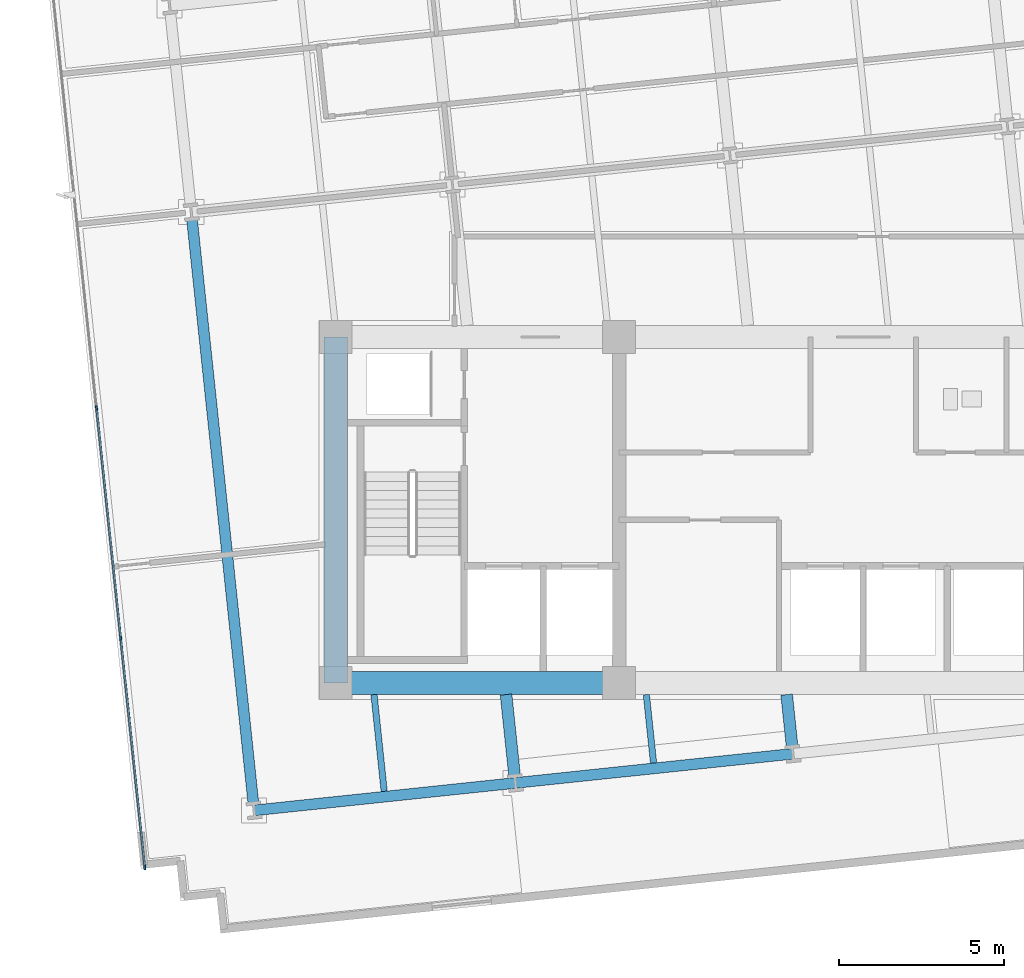
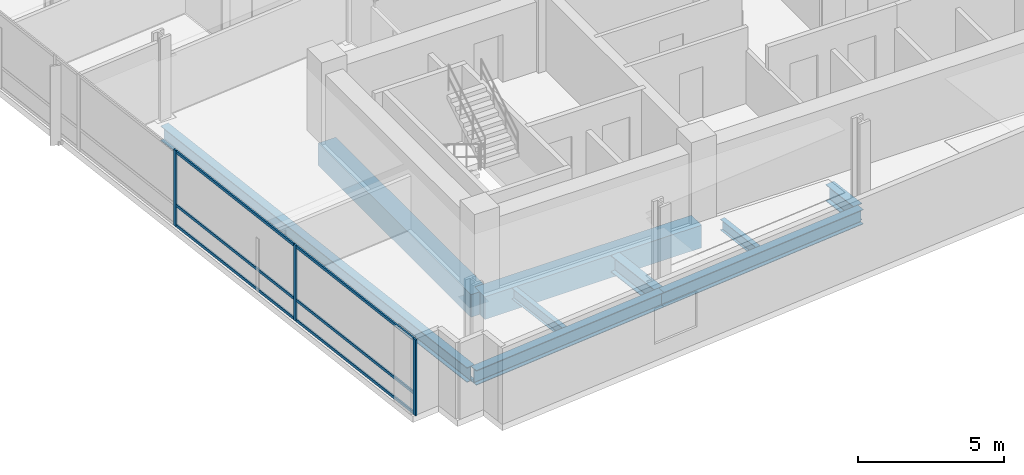
# One storey, part 2 of 21: 9 beams, 9 members, 1 element without a shape of its own.
"""IFC4 building model written with IfcOpenShell, lengths in metres."""

from ifc_helpers import new_model, si_unit, direction, frame, origin, origin_2d, place, context, subcontext, project, spatial, rectangle, i_section, extrude, material, material_profile, profile_set, type_object, element, aggregate, save


model = new_model("IFC4")

# Units and contexts
model_context = context("Model", 3, precision=1e-05, world=origin(), true_north=direction((0.0, 1.0)))
body_context = subcontext(model_context, "Body", "Model", "MODEL_VIEW")
ifc_project = project(units=[si_unit("LENGTHUNIT", "METRE"), si_unit("AREAUNIT", "SQUARE_METRE"), si_unit("VOLUMEUNIT", "CUBIC_METRE"), si_unit("PLANEANGLEUNIT", "RADIAN"), si_unit("MASSUNIT", "GRAM", prefix="KILO")], contexts=[model_context])

# Site, building, storey
site_placement = place(None, origin())
site = spatial("IfcSite", under=ifc_project, at=site_placement, CompositionType="ELEMENT")
building_placement = place(site_placement, origin())
building = spatial("IfcBuilding", under=site, at=building_placement, Name="Solmavex Isthmus Hotel", CompositionType="ELEMENT")
storey_placement = place(building_placement, frame((0.0, 0.0, 113.25)))
storey = spatial("IfcBuildingStorey", under=building, at=storey_placement, Name="L30", CompositionType="ELEMENT", Elevation=113.25)

# Beams
ifc_material_1 = material(Name="Steel ASTM A992 Grade 50", Category="steel")
ifc_material_profile_1 = material_profile(ifc_material_1, i_section(OverallWidth=0.354736328125, OverallDepth=0.695556640625, WebThickness=0.015380859375, FlangeThickness=0.02490234375, FilletRadius=0.017822265625, at=origin_2d()), Name="W27X146")
ifc_profile_set_1 = profile_set([ifc_material_profile_1], Name="Steel ASTM A992 Grade 50")
beam_type_1 = type_object("IfcBeamType", Name="BM-BG-W27X146", PredefinedType="BEAM", material=ifc_profile_set_1)
beam_1_placement = place(storey_placement, frame((-10.568115234375, -15.868896484375, -0.607666015625), z_axis=(-0.104589444628, 0.994515484079, 0.0), x_axis=(-0.994515484079, -0.104589444628, 0.0)))
element("IfcBeam", 1, at=beam_1_placement, inside=storey, type_object=beam_type_1, Name="Floor Beam L30-VG28", PredefinedType="BEAM", context=body_context, shape_type="SweptSolid", body=[
    extrude(i_section(OverallWidth=0.354736328125, OverallDepth=0.695556640625, WebThickness=0.015380859375, FlangeThickness=0.02490234375, FilletRadius=0.017822265625, at=origin_2d()), origin(), (0.0, 0.0, 1.0), 2.53271484375),
])
beam_2_placement = place(storey_placement, frame((-2.148681640625, -14.984130859375, -0.607666015625), z_axis=(-0.104460468373, 0.99452903957, 0.0), x_axis=(-0.99452903957, -0.104460468373, 0.0)))
element("IfcBeam", 2, at=beam_2_placement, inside=storey, type_object=beam_type_1, Name="Floor Beam L30-VG32", PredefinedType="BEAM", context=body_context, shape_type="SweptSolid", body=[
    extrude(i_section(OverallWidth=0.354736328125, OverallDepth=0.695556640625, WebThickness=0.015380859375, FlangeThickness=0.02490234375, FilletRadius=0.017822265625, at=origin_2d()), origin(), (0.0, 0.0, 1.0), 1.64306640625),
])
ifc_material_profile_2 = material_profile(ifc_material_1, i_section(OverallWidth=0.1904296875, OverallDepth=0.456787109375, WebThickness=0.009033203125, FlangeThickness=0.014404296875, FilletRadius=0.0126953125, at=origin_2d()), Name="W18X50")
ifc_profile_set_2 = profile_set([ifc_material_profile_2], Name="Steel ASTM A992 Grade 50")
beam_type_2 = type_object("IfcBeamType", Name="BM-BJ-W18X50", PredefinedType="JOIST", material=ifc_profile_set_2)
beam_3_placement = place(storey_placement, frame((-14.5302734375, -16.285400390625, -0.488525390625), z_axis=(-0.104555607512, 0.994519042019, 0.0), x_axis=(-0.994519042019, -0.104555607512, 0.0)))
element("IfcBeam", 3, at=beam_3_placement, inside=storey, type_object=beam_type_2, Name="Secondary Floor Joist L30-J01", PredefinedType="JOIST", context=body_context, shape_type="SweptSolid", body=[
    extrude(i_section(OverallWidth=0.1904296875, OverallDepth=0.456787109375, WebThickness=0.009033203125, FlangeThickness=0.014404296875, FilletRadius=0.0126953125, at=origin_2d()), origin(), (0.0, 0.0, 1.0), 2.951416015625),
])
beam_4_placement = place(storey_placement, frame((-6.3583984375, -15.426513671875, -0.488525390625), z_axis=(-0.104538696399, 0.99452081977, 0.0), x_axis=(-0.99452081977, -0.104538696399, 0.0)))
element("IfcBeam", 4, at=beam_4_placement, inside=storey, type_object=beam_type_2, Name="Secondary Floor Joist L30-J05", PredefinedType="JOIST", context=body_context, shape_type="SweptSolid", body=[
    extrude(i_section(OverallWidth=0.1904296875, OverallDepth=0.456787109375, WebThickness=0.009033203125, FlangeThickness=0.014404296875, FilletRadius=0.0126953125, at=origin_2d()), origin(), (0.0, 0.0, 1.0), 2.087890625),
])
ifc_material_2 = material(Name="Concrete C60/75", Category="concrete")
ifc_material_profile_3 = material_profile(ifc_material_2, rectangle(XDim=0.699951171875, YDim=0.949951171875, at=origin_2d()), Name="RC700X950")
ifc_profile_set_3 = profile_set([ifc_material_profile_3], Name="Concrete C60/75")
beam_type_3 = type_object("IfcBeamType", Name="BM-CB-700X950", PredefinedType="BEAM", material=ifc_profile_set_3)
beam_5_placement = place(storey_placement, frame((-16.0, -13.0, -0.735107421875), z_axis=(1.0, 0.0, 0.0), x_axis=(0.0, 1.0, 0.0)))
element("IfcBeam", 5, at=beam_5_placement, inside=storey, type_object=beam_type_3, Name="Core Coupling Beam L30-CB1", PredefinedType="BEAM", context=body_context, shape_type="SweptSolid", body=[
    extrude(rectangle(XDim=0.699951171875, YDim=0.949951171875, at=origin_2d()), origin(), (0.0, 0.0, 1.0), 8.60009765625),
])
beam_6_placement = place(storey_placement, frame((-16.0, -13.0, -0.735107421875), z_axis=(0.0, 1.0, 0.0), x_axis=(-1.0, 0.0, 0.0)))
element("IfcBeam", 6, at=beam_6_placement, inside=storey, type_object=beam_type_3, Name="Core Coupling Beam L30-CB7", PredefinedType="BEAM", context=body_context, shape_type="SweptSolid", body=[
    extrude(rectangle(XDim=0.699951171875, YDim=0.949951171875, at=origin_2d()), origin(), (0.0, 0.0, 1.0), 10.5),
])
ifc_material_profile_4 = material_profile(ifc_material_1, i_section(OverallWidth=0.326416015625, OverallDepth=0.621826171875, WebThickness=0.015380859375, FlangeThickness=0.0244140625, FilletRadius=0.01513671875, at=origin_2d()), Name="W24X131")
ifc_profile_set_4 = profile_set([ifc_material_profile_4], Name="Steel ASTM A992 Grade 50")
beam_type_4 = type_object("IfcBeamType", Name="BM-SP-W24X131", PredefinedType="SPANDREL", material=ifc_profile_set_4)
beam_7_placement = place(storey_placement, frame((-18.475341796875, -16.8642578125, -0.57080078125), z_axis=(0.994523402738, 0.104514120609, 0.0), x_axis=(-0.104514120609, 0.994523402738, 0.0)))
element("IfcBeam", 7, at=beam_7_placement, inside=storey, type_object=beam_type_4, Name="Floor Girder L30-UG01", PredefinedType="SPANDREL", context=body_context, shape_type="SweptSolid", body=[
    extrude(i_section(OverallWidth=0.326416015625, OverallDepth=0.621826171875, WebThickness=0.015380859375, FlangeThickness=0.0244140625, FilletRadius=0.01513671875, at=origin_2d()), origin(), (0.0, 0.0, 1.0), 7.968017578125),
])
beam_8_placement = place(storey_placement, frame((-10.551025390625, -16.031494140625, -0.57080078125), z_axis=(0.994520770064, 0.104539169271, 0.0), x_axis=(-0.104539169271, 0.994520770064, 0.0)))
element("IfcBeam", 8, at=beam_8_placement, inside=storey, type_object=beam_type_4, Name="Floor Girder L30-UG02", PredefinedType="SPANDREL", context=body_context, shape_type="SweptSolid", body=[
    extrude(i_section(OverallWidth=0.326416015625, OverallDepth=0.621826171875, WebThickness=0.015380859375, FlangeThickness=0.0244140625, FilletRadius=0.01513671875, at=origin_2d()), origin(), (0.0, 0.0, 1.0), 8.4658203125),
])
beam_9_placement = place(storey_placement, frame((-18.492431640625, -16.701904296875, -0.57080078125), z_axis=(-0.104530088192, 0.99452172458, 0.0), x_axis=(-0.99452172458, -0.104530088192, 0.0)))
element("IfcBeam", 9, at=beam_9_placement, inside=storey, type_object=beam_type_4, Name="Floor Beam L30-VG25", PredefinedType="SPANDREL", context=body_context, shape_type="SweptSolid", body=[
    extrude(i_section(OverallWidth=0.326416015625, OverallDepth=0.621826171875, WebThickness=0.015380859375, FlangeThickness=0.0244140625, FilletRadius=0.01513671875, at=origin_2d()), origin(), (0.0, 0.0, 1.0), 17.909423828125),
])

# Curtain wall, members
ifc_material_3 = material(Name="Aluminium alloy 6063-T6", Category="aluminium")
curtain_wall_type = type_object("IfcCurtainWallType", Name="CW-SYS-06", PredefinedType="NOTDEFINED", material=ifc_material_3)
curtain_wall_placement = place(storey_placement, origin())
curtain_wall = element("IfcCurtainWall", 10, at=curtain_wall_placement, inside=storey, type_object=curtain_wall_type, Name="Stick Curtain Wall CWL-L30-W1", PredefinedType="NOTDEFINED")
ifc_material_profile_5 = material_profile(ifc_material_3, rectangle(XDim=0.06005859375, YDim=0.139892578125, at=origin_2d()), Name="CWM-60X140")
ifc_profile_set_5 = profile_set([ifc_material_profile_5], Name="Aluminium alloy 6063-T6")
member_type_1 = type_object("IfcMemberType", Name="CW-SYS-06-MUL", PredefinedType="MULLION", material=ifc_profile_set_5)
member_1_placement = place(storey_placement, frame((-21.793212890625, -18.590576171875, 0.0), z_axis=(0.0, 0.0, 1.0), x_axis=(-0.994521893044, -0.104528485381, 0.0)))
member_1 = element("IfcMember", 11, at=member_1_placement, type_object=member_type_1, Name="CW-06 mullion 1", PredefinedType="MULLION", context=body_context, shape_type="SweptSolid", body=[
    extrude(rectangle(XDim=0.06005859375, YDim=0.139892578125, at=origin_2d()), origin(), (0.0, 0.0, 1.0), 3.18994140625),
])
member_2_placement = place(storey_placement, frame((-22.52392578125, -11.638916015625, 0.0), z_axis=(0.0, 0.0, 1.0), x_axis=(-0.994521893044, -0.104528485381, 0.0)))
member_2 = element("IfcMember", 12, at=member_2_placement, type_object=member_type_1, Name="CW-06 mullion 2", PredefinedType="MULLION", context=body_context, shape_type="SweptSolid", body=[
    extrude(rectangle(XDim=0.06005859375, YDim=0.139892578125, at=origin_2d()), origin(), (0.0, 0.0, 1.0), 3.18994140625),
])
member_3_placement = place(storey_placement, frame((-23.257568359375, -4.6572265625, 0.0), z_axis=(0.0, 0.0, 1.0), x_axis=(-0.994521893044, -0.104528485381, 0.0)))
member_3 = element("IfcMember", 13, at=member_3_placement, type_object=member_type_1, Name="CW-06 mullion 3", PredefinedType="MULLION", context=body_context, shape_type="SweptSolid", body=[
    extrude(rectangle(XDim=0.06005859375, YDim=0.139892578125, at=origin_2d()), origin(), (0.0, 0.0, 1.0), 3.18994140625),
])
ifc_material_profile_6 = material_profile(ifc_material_3, rectangle(XDim=0.06005859375, YDim=0.114990234375, at=origin_2d()), Name="CWT-60X115")
ifc_profile_set_6 = profile_set([ifc_material_profile_6], Name="Aluminium alloy 6063-T6")
member_type_2 = type_object("IfcMemberType", Name="CW-SYS-06-TRN", PredefinedType="USERDEFINED", material=ifc_profile_set_6)
member_4_placement = place(storey_placement, frame((-21.79638671875, -18.560791015625, 0.0576171875), z_axis=(-0.10452523802, 0.99452223435, 0.0), x_axis=(-0.99452223435, -0.10452523802, 0.0)))
member_4 = element("IfcMember", 14, at=member_4_placement, type_object=member_type_2, Name="CW-06 transom 1.1", ObjectType="TRANSOM", PredefinedType="USERDEFINED", context=body_context, shape_type="SweptSolid", body=[
    extrude(rectangle(XDim=0.06005859375, YDim=0.114990234375, at=origin_2d()), origin(), (0.0, 0.0, 1.0), 6.929931640625),
])
member_5_placement = place(storey_placement, frame((-21.79638671875, -18.560791015625, 0.89990234375), z_axis=(-0.10452523802, 0.99452223435, 0.0), x_axis=(-0.99452223435, -0.10452523802, 0.0)))
member_5 = element("IfcMember", 15, at=member_5_placement, type_object=member_type_2, Name="CW-06 transom 1.2", ObjectType="TRANSOM", PredefinedType="USERDEFINED", context=body_context, shape_type="SweptSolid", body=[
    extrude(rectangle(XDim=0.06005859375, YDim=0.114990234375, at=origin_2d()), origin(), (0.0, 0.0, 1.0), 6.929931640625),
])
member_6_placement = place(storey_placement, frame((-21.79638671875, -18.560791015625, 3.132568359375), z_axis=(-0.10452523802, 0.99452223435, 0.0), x_axis=(-0.99452223435, -0.10452523802, 0.0)))
member_6 = element("IfcMember", 16, at=member_6_placement, type_object=member_type_2, Name="CW-06 transom 1.3", ObjectType="TRANSOM", PredefinedType="USERDEFINED", context=body_context, shape_type="SweptSolid", body=[
    extrude(rectangle(XDim=0.06005859375, YDim=0.114990234375, at=origin_2d()), origin(), (0.0, 0.0, 1.0), 6.929931640625),
])
member_7_placement = place(storey_placement, frame((-22.527099609375, -11.60888671875, 0.0576171875), z_axis=(-0.104496708081, 0.99452523246, 0.0), x_axis=(-0.99452523246, -0.104496708081, 0.0)))
member_7 = element("IfcMember", 17, at=member_7_placement, type_object=member_type_2, Name="CW-06 transom 2.1", ObjectType="TRANSOM", PredefinedType="USERDEFINED", context=body_context, shape_type="SweptSolid", body=[
    extrude(rectangle(XDim=0.06005859375, YDim=0.114990234375, at=origin_2d()), origin(), (0.0, 0.0, 1.0), 6.9599609375),
])
member_8_placement = place(storey_placement, frame((-22.527099609375, -11.60888671875, 0.89990234375), z_axis=(-0.104496708081, 0.99452523246, 0.0), x_axis=(-0.99452523246, -0.104496708081, 0.0)))
member_8 = element("IfcMember", 18, at=member_8_placement, type_object=member_type_2, Name="CW-06 transom 2.2", ObjectType="TRANSOM", PredefinedType="USERDEFINED", context=body_context, shape_type="SweptSolid", body=[
    extrude(rectangle(XDim=0.06005859375, YDim=0.114990234375, at=origin_2d()), origin(), (0.0, 0.0, 1.0), 6.9599609375),
])
member_9_placement = place(storey_placement, frame((-22.527099609375, -11.60888671875, 3.132568359375), z_axis=(-0.104496708081, 0.99452523246, 0.0), x_axis=(-0.99452523246, -0.104496708081, 0.0)))
member_9 = element("IfcMember", 19, at=member_9_placement, type_object=member_type_2, Name="CW-06 transom 2.3", ObjectType="TRANSOM", PredefinedType="USERDEFINED", context=body_context, shape_type="SweptSolid", body=[
    extrude(rectangle(XDim=0.06005859375, YDim=0.114990234375, at=origin_2d()), origin(), (0.0, 0.0, 1.0), 6.9599609375),
])
aggregate(curtain_wall, [member_1, member_2, member_3, member_4, member_5, member_6, member_7, member_8, member_9])

save(model, "model.ifc")
